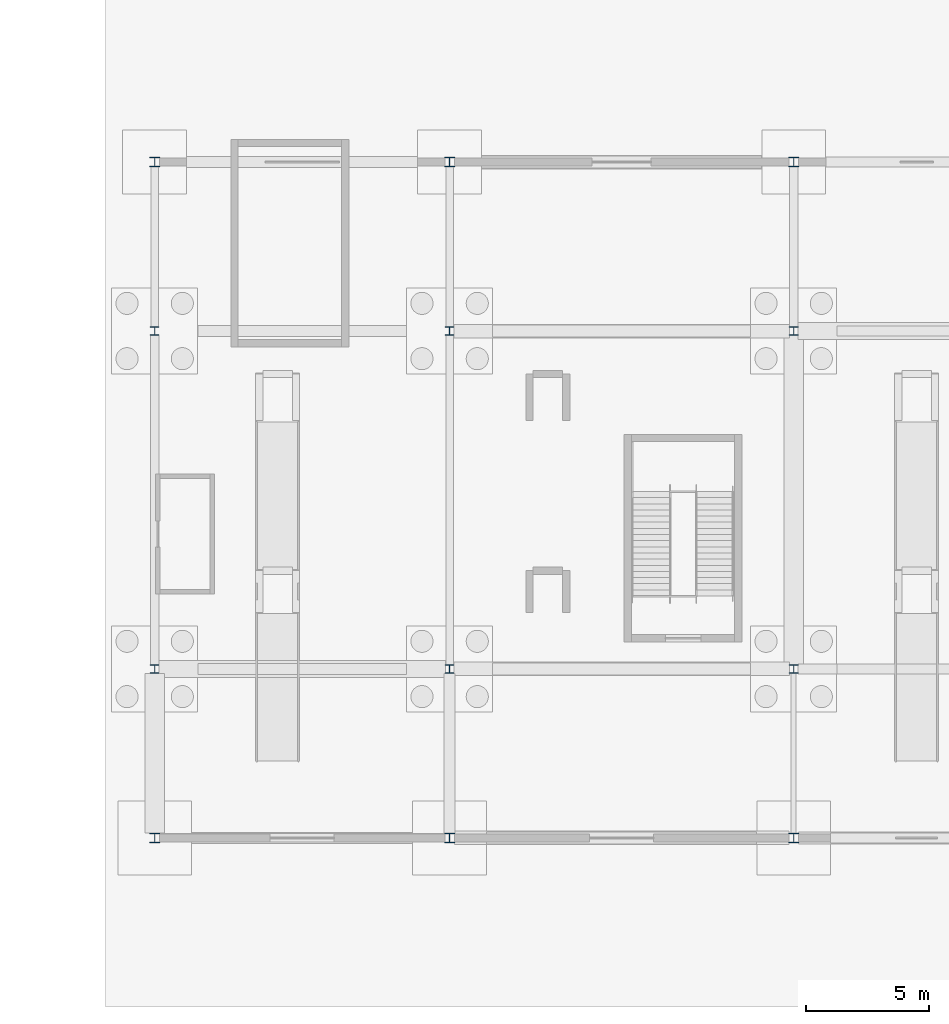
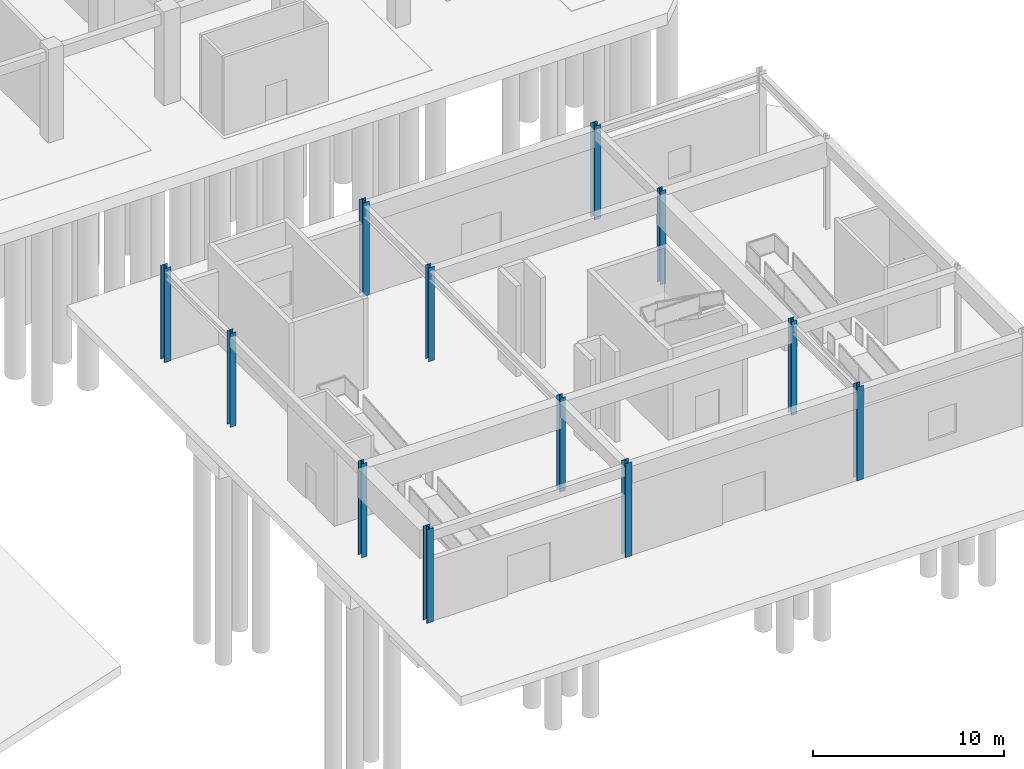
# One storey, part 16 of 62: 12 columns.
"""IFC4 building model written with IfcOpenShell, lengths in metres."""

import ifcopenshell
import ifcopenshell.guid

model = None  # the IFC model being written
_history = None  # IfcOwnerHistory: only IFC2X3 demands one
_inside = {}  # id of a spatial element -> (the spatial element, [elements in it])
_under = {}  # id of a project, library or spatial element -> (it, [spatial elements below it])
_declared = {}  # id of a project -> (the project, [libraries it declares])
_typed = {}  # id of a type object -> (the type object, [elements of that type])
_made_of = {}  # id of a material, layer set ... -> (it, [elements and type objects made of it])


def new_model(schema):
    """Start an empty IFC model of exactly this schema.

    Asked for "IFC4X3", IfcOpenShell would pick the latest addendum, in which some entities
    have other attributes; the version numbers below select the first issue.
    IFC2X3 requires an IfcOwnerHistory on every rooted entity: one is made here for all.
    """
    global model, _history
    if schema == "IFC4X3":
        model = ifcopenshell.file(schema_version=(4, 3, 0, 0))
    else:
        model = ifcopenshell.file(schema=schema)
    _inside.clear()
    _under.clear()
    _declared.clear()
    _typed.clear()
    _made_of.clear()
    _history = None
    if model.schema == "IFC2X3":
        org = make("IfcOrganization", Name="unknown")
        user = make(
            "IfcPersonAndOrganization",
            ThePerson=make("IfcPerson", FamilyName="unknown"),
            TheOrganization=org,
        )
        app = make(
            "IfcApplication",
            ApplicationDeveloper=org,
            Version="unknown",
            ApplicationFullName="unknown",
            ApplicationIdentifier="unknown",
        )
        _history = make(
            "IfcOwnerHistory",
            OwningUser=user,
            OwningApplication=app,
            ChangeAction="ADDED",
            CreationDate=0,
        )
    return model


def make(cls, **values):
    """One entity of the class cls with the attributes given. An attribute that is None is left unset."""
    return model.create_entity(
        cls, **{name: value for name, value in values.items() if value is not None}
    )


def rooted(cls, **values):
    """An entity with a GlobalId (a new one), such as an element, a storey or a relation."""
    return make(cls, GlobalId=ifcopenshell.guid.new(), OwnerHistory=_history, **values)


def si_unit(unit_type, name, prefix=None):
    """IfcSIUnit, for example si_unit("LENGTHUNIT", "METRE", prefix="MILLI")."""
    return make("IfcSIUnit", UnitType=unit_type, Prefix=prefix, Name=name)


def assignment(units):
    """IfcUnitAssignment: the units of a project."""
    return None if units is None else make("IfcUnitAssignment", Units=units)


def point(xyz):
    """IfcCartesianPoint."""
    return None if xyz is None else make("IfcCartesianPoint", Coordinates=xyz)


def direction(xyz):
    """IfcDirection."""
    return None if xyz is None else make("IfcDirection", DirectionRatios=xyz)


def frame(location, z_axis=None, x_axis=None):
    """IfcAxis2Placement3D, a coordinate frame: its origin and axes. An axis left out is left unset."""
    return make(
        "IfcAxis2Placement3D",
        Location=point(location),
        Axis=direction(z_axis),
        RefDirection=direction(x_axis),
    )


def frame_2d(location, x_axis=None):
    """IfcAxis2Placement2D, a coordinate frame in the plane: its origin and x axis."""
    return make(
        "IfcAxis2Placement2D", Location=point(location), RefDirection=direction(x_axis)
    )


def origin():
    """The frame at (0, 0, 0) with its axes left unset."""
    return frame((0.0, 0.0, 0.0))


def origin_2d():
    """The frame at (0, 0) in the plane with its x axis left unset."""
    return frame_2d((0.0, 0.0))


def place(relative_to, where):
    """IfcLocalPlacement: puts the frame where relative to a parent placement (None: the world)."""
    return make(
        "IfcLocalPlacement", PlacementRelTo=relative_to, RelativePlacement=where
    )


def context(
    kind, dimensions, precision=None, world=None, true_north=None, identifier=None
):
    """IfcGeometricRepresentationContext, for example the 3D "Model" context."""
    return make(
        "IfcGeometricRepresentationContext",
        ContextIdentifier=identifier,
        ContextType=kind,
        CoordinateSpaceDimension=dimensions,
        Precision=precision,
        WorldCoordinateSystem=world,
        TrueNorth=true_north,
    )


def subcontext(parent, identifier, kind, view, scale=None):
    """IfcGeometricRepresentationSubContext, for example "Body" below "Model"."""
    return make(
        "IfcGeometricRepresentationSubContext",
        ContextIdentifier=identifier,
        ContextType=kind,
        ParentContext=parent,
        TargetScale=scale,
        TargetView=view,
    )


def project(units=None, contexts=None):
    """IfcProject with its units and contexts."""
    return rooted(
        "IfcProject",
        Name="project",
        RepresentationContexts=contexts,
        UnitsInContext=assignment(units),
    )


def spatial(cls, under=None, at=None, **own):
    """A site, building, storey or space (cls), placed at a placement, below another one or the project."""
    s = rooted(cls, ObjectPlacement=at, **own)
    if under is not None:
        _under.setdefault(under.id(), (under, []))[1].append(s)
    return s


def profile(cls, at=None, kind="AREA", **sizes):
    """A parametric profile (cls). Its sizes go by their IFC names, for example OverallWidth=200.0."""
    return make(cls, ProfileType=kind, Position=at, **sizes)


def i_section(**sizes):
    """IfcIShapeProfileDef."""
    return profile("IfcIShapeProfileDef", **sizes)


def extrude(swept, where, along, depth):
    """IfcExtrudedAreaSolid: the profile swept, set in the frame where, extruded along a direction by depth."""
    return make(
        "IfcExtrudedAreaSolid",
        SweptArea=swept,
        Position=where,
        ExtrudedDirection=direction(along),
        Depth=depth,
    )


def shape(context_of_items, identifier, shape_type, items):
    """IfcShapeRepresentation: the items that make up one representation, for example the "Body"."""
    return make(
        "IfcShapeRepresentation",
        ContextOfItems=context_of_items,
        RepresentationIdentifier=identifier,
        RepresentationType=shape_type,
        Items=items,
    )


def material(Name=None, Category=None):
    """IfcMaterial."""
    return make("IfcMaterial", Name=Name, Category=Category)


def material_profile(
    of_material, cross_section, Name=None, Category=None, Priority=None
):
    """IfcMaterialProfile: a cross section and its material."""
    return make(
        "IfcMaterialProfile",
        Name=Name,
        Material=of_material,
        Profile=cross_section,
        Priority=Priority,
        Category=Category,
    )


def profile_set(profiles, Name=None, composite=None):
    """IfcMaterialProfileSet."""
    return make(
        "IfcMaterialProfileSet",
        Name=Name,
        MaterialProfiles=profiles,
        CompositeProfile=composite,
    )


def made_of(thing, what):
    """Note that an element or type object is made of a material, layer set ...; save() writes the relation."""
    if what is not None:
        _made_of.setdefault(what.id(), (what, []))[1].append(thing)
    return thing


def type_object(cls, material=None, **own):
    """A type object (cls), such as IfcWallType, which elements share."""
    return made_of(rooted(cls, **own), material)


def element(
    cls,
    number,
    at=None,
    inside=None,
    cuts=None,
    type_object=None,
    material=None,
    context=None,
    identifier="Body",
    shape_type=None,
    held_by="IfcProductDefinitionShape",
    body=None,
    shapes=None,
    **own,
):
    """One element of the class cls, such as IfcWall. Its Tag is "e" and its number.

    at: its placement. inside: the storey or other place that contains it. cuts: it is an
    opening in that element (IfcRelVoidsElement). A single representation is given by context,
    identifier, shape_type and body (its items); several are given by shapes. held_by: the class
    of the entity that holds the representations. save() writes the other relations.
    """
    e = rooted(cls, Tag="e%d" % number, ObjectPlacement=at, **own)
    if body is not None:
        shapes = [shape(context, identifier, shape_type, body)]
    if shapes is not None:
        e.Representation = make(held_by, Representations=shapes)
    if inside is not None:
        _inside.setdefault(inside.id(), (inside, []))[1].append(e)
    if cuts is not None:
        rooted(
            "IfcRelVoidsElement", RelatingBuildingElement=cuts, RelatedOpeningElement=e
        )
    if type_object is not None:
        _typed.setdefault(type_object.id(), (type_object, []))[1].append(e)
    return made_of(e, material)


def aggregate(whole, parts):
    """IfcRelAggregates: a whole, such as a stair, and the parts it consists of."""
    return rooted("IfcRelAggregates", RelatingObject=whole, RelatedObjects=parts)


def save(model, path):
    """Write the relations noted so far, then the file.

    IfcRelAggregates (storeys below a building ...), IfcRelContainedInSpatialStructure (elements
    in a storey), IfcRelDefinesByType, IfcRelAssociatesMaterial and IfcRelDeclares: one each for
    every whole, place, type object, material and project.
    """
    for whole, parts in _under.values():
        aggregate(whole, parts)
    for where, things in _inside.values():
        rooted(
            "IfcRelContainedInSpatialStructure",
            RelatedElements=things,
            RelatingStructure=where,
        )
    for kind, things in _typed.values():
        rooted("IfcRelDefinesByType", RelatedObjects=things, RelatingType=kind)
    for what, things in _made_of.values():
        rooted("IfcRelAssociatesMaterial", RelatedObjects=things, RelatingMaterial=what)
    for by, libraries in _declared.values():
        rooted("IfcRelDeclares", RelatingContext=by, RelatedDefinitions=libraries)
    model.write(path)


model = new_model("IFC4")

# Units and contexts
model_context = context("Model", 3, precision=1e-05, world=origin(), true_north=direction((0.0, 1.0)))
body_context = subcontext(model_context, "Body", "Model", "MODEL_VIEW")
ifc_project = project(units=[si_unit("LENGTHUNIT", "METRE"), si_unit("AREAUNIT", "SQUARE_METRE"), si_unit("VOLUMEUNIT", "CUBIC_METRE"), si_unit("PLANEANGLEUNIT", "RADIAN"), si_unit("MASSUNIT", "GRAM", prefix="KILO")], contexts=[model_context])

# Site, building, storey
site_placement = place(None, origin())
site = spatial("IfcSite", under=ifc_project, at=site_placement, CompositionType="ELEMENT")
building_placement = place(site_placement, origin())
building = spatial("IfcBuilding", under=site, at=building_placement, Name="Linyun Crest Stadium", CompositionType="ELEMENT")
storey_placement = place(building_placement, frame((0.0, 0.0, -6.0)))
storey = spatial("IfcBuildingStorey", under=building, at=storey_placement, Name="B1", CompositionType="ELEMENT", Elevation=-6.0)

# Columns
ifc_material_1 = material(Name="Steel Q355C", Category="steel")
ifc_material_profile_1 = material_profile(ifc_material_1, i_section(OverallWidth=0.35009765625, OverallDepth=0.35009765625, WebThickness=0.011962890625, FlangeThickness=0.01904296875, at=origin_2d()), Name="HW 350x350")
ifc_profile_set_1 = profile_set([ifc_material_profile_1], Name="Steel Q355C")
column_type_1 = type_object("IfcColumnType", Name="SC01", PredefinedType="COLUMN", material=ifc_profile_set_1)
for number, where, z_axis, x_axis, name in (
    (1, (58.0, -87.25, 0.0), (0.0, 0.0, 1.0), (1.0, 0.0, 0.0), "Column SC01 B1 901"),
    (2, (58.0, -73.5, 0.0), (0.0, 0.0, 1.0), (1.0, 0.0, 0.0), "Column SC01 B1 904"),
    (3, (70.0, -87.25, 0.0), (0.0, 0.0, 1.0), (1.0, 0.0, 0.0), "Column SC01 B1 913"),
    (4, (70.0, -73.5, 0.0), (0.0, 0.0, 1.0), (1.0, 0.0, 0.0), "Column SC01 B1 916"),
    (5, (84.0, -87.25, 0.0), (0.0, 0.0, 1.0), (1.0, 0.0, 0.0), "Column SC01 B1 925"),
    (6, (84.0, -73.5, 0.0), (0.0, 0.0, 1.0), (1.0, 0.0, 0.0), "Column SC01 B1 928"),
):
    element("IfcColumn", number, at=place(storey_placement, frame(where, z_axis=z_axis, x_axis=x_axis)), inside=storey, type_object=column_type_1, Name=name, PredefinedType="COLUMN", context=body_context, shape_type="SweptSolid", body=[
        extrude(i_section(OverallWidth=0.35009765625, OverallDepth=0.35009765625, WebThickness=0.011962890625, FlangeThickness=0.01904296875, at=origin_2d()), origin(), (0.0, 0.0, 1.0), 5.998046875),
    ])
ifc_material_2 = material(Name="Steel Q355C", Category="steel")
ifc_material_profile_2 = material_profile(ifc_material_2, i_section(OverallWidth=0.39990234375, OverallDepth=0.39990234375, WebThickness=0.012939453125, FlangeThickness=0.02099609375, at=origin_2d()), Name="HW 400x400")
ifc_profile_set_2 = profile_set([ifc_material_profile_2], Name="Steel Q355C")
column_type_2 = type_object("IfcColumnType", Name="SC02", PredefinedType="COLUMN", material=ifc_profile_set_2)
for number, where, z_axis, x_axis, name in (
    (7, (58.0, -94.125, 0.0), (0.0, 0.0, 1.0), (1.0, 0.0, 0.0), "Column SC02 B1 898"),
    (8, (58.0, -66.625, 0.0), (0.0, 0.0, 1.0), (1.0, 0.0, 0.0), "Column SC02 B1 907"),
    (9, (70.0, -94.125, 0.0), (0.0, 0.0, 1.0), (1.0, 0.0, 0.0), "Column SC02 B1 910"),
    (10, (70.0, -66.625, 0.0), (0.0, 0.0, 1.0), (1.0, 0.0, 0.0), "Column SC02 B1 919"),
    (11, (84.0, -94.125, 0.0), (0.0, 0.0, 1.0), (1.0, 0.0, 0.0), "Column SC02 B1 922"),
    (12, (84.0, -66.625, 0.0), (0.0, 0.0, 1.0), (1.0, 0.0, 0.0), "Column SC02 B1 931"),
):
    element("IfcColumn", number, at=place(storey_placement, frame(where, z_axis=z_axis, x_axis=x_axis)), inside=storey, type_object=column_type_2, Name=name, PredefinedType="COLUMN", context=body_context, shape_type="SweptSolid", body=[
        extrude(i_section(OverallWidth=0.39990234375, OverallDepth=0.39990234375, WebThickness=0.012939453125, FlangeThickness=0.02099609375, at=origin_2d()), origin(), (0.0, 0.0, 1.0), 5.998046875),
    ])

save(model, "model.ifc")
